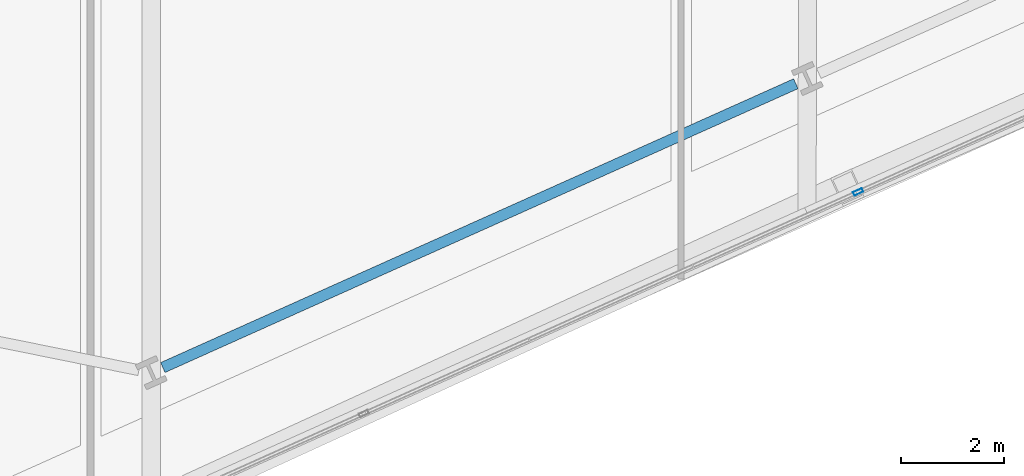
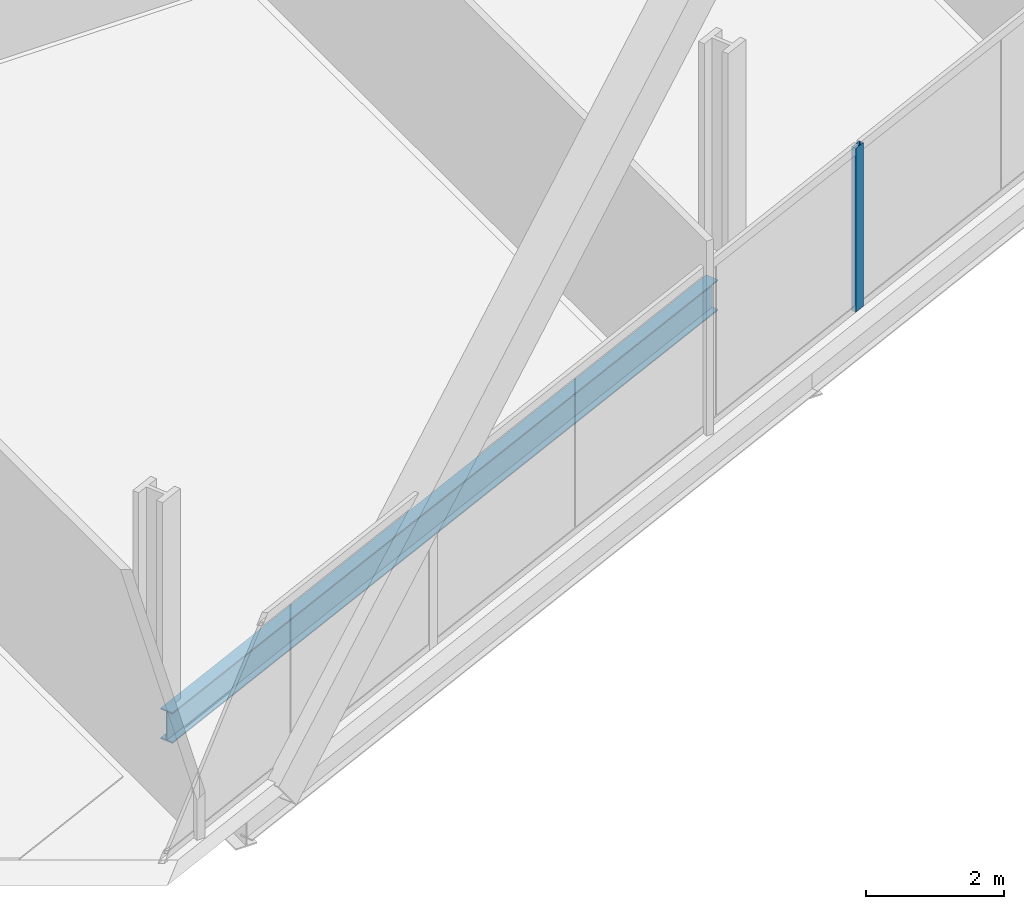
# One storey, part 8 of 38: 1 beam, 1 member, 1 element without a shape of its own.
"""IFC4 building model written with IfcOpenShell, lengths in metres."""

from ifc_helpers import new_model, si_unit, direction, frame, origin, origin_2d, place, context, subcontext, project, spatial, hollow_rectangle, i_section, extrude, material, material_profile, profile_set, type_object, element, aggregate, save


model = new_model("IFC4")

# Units and contexts
model_context = context("Model", 3, precision=1e-05, world=origin(), true_north=direction((0.0, 1.0)))
body_context = subcontext(model_context, "Body", "Model", "MODEL_VIEW")
ifc_project = project(units=[si_unit("LENGTHUNIT", "METRE"), si_unit("AREAUNIT", "SQUARE_METRE"), si_unit("VOLUMEUNIT", "CUBIC_METRE"), si_unit("PLANEANGLEUNIT", "RADIAN"), si_unit("MASSUNIT", "GRAM", prefix="KILO")], contexts=[model_context])

# Site, building, storey
site_placement = place(None, origin())
site = spatial("IfcSite", under=ifc_project, at=site_placement, CompositionType="ELEMENT")
building_placement = place(site_placement, origin())
building = spatial("IfcBuilding", under=site, at=building_placement, Name="Haldenkirk Collegiate Tower", CompositionType="ELEMENT")
storey_placement = place(building_placement, frame((0.0, 0.0, 109.199951171875)))
storey = spatial("IfcBuildingStorey", under=building, at=storey_placement, Name="L26", CompositionType="ELEMENT", Elevation=109.199951171875)

# Beam
ifc_material_1 = material(Name="Steel ASTM A992 Grade 50", Category="steel")
ifc_material_profile_1 = material_profile(ifc_material_1, i_section(OverallWidth=0.2119140625, OverallDepth=0.5439453125, WebThickness=0.01318359375, FlangeThickness=0.021240234375, at=origin_2d()), Name="W21X83")
ifc_profile_set_1 = profile_set([ifc_material_profile_1], Name="Steel ASTM A992 Grade 50")
beam_type = type_object("IfcBeamType", Name="BM-SPANDREL-W21X83", PredefinedType="SPANDREL", material=ifc_profile_set_1)
beam_placement = place(storey_placement, frame((32.405517578125, 0.3876953125, -0.572021484375), z_axis=(0.912476765144, 0.409128528793, 0.0), x_axis=(-0.409128528793, 0.912476765144, 0.0)))
element("IfcBeam", 1, at=beam_placement, inside=storey, type_object=beam_type, Name="L26 perimeter spandrel beam 02", PredefinedType="SPANDREL", context=body_context, shape_type="SweptSolid", body=[
    extrude(i_section(OverallWidth=0.2119140625, OverallDepth=0.5439453125, WebThickness=0.01318359375, FlangeThickness=0.021240234375, at=origin_2d()), origin(), (0.0, 0.0, 1.0), 13.512939453125),
])

# Curtain wall, member
ifc_material_2 = material(Name="Anodised architectural bronze aluminium", Category="aluminium")
curtain_wall_type = type_object("IfcCurtainWallType", Name="CW-SYS2-CONCAVE", PredefinedType="USERDEFINED", material=ifc_material_2)
curtain_wall_placement = place(storey_placement, origin())
curtain_wall = element("IfcCurtainWall", 2, at=curtain_wall_placement, inside=storey, type_object=curtain_wall_type, Name="L26 South concave recessed bronze-anodised curtain wall", ObjectType="UNITISED CURTAIN WALL", PredefinedType="USERDEFINED")
ifc_material_profile_2 = material_profile(ifc_material_2, hollow_rectangle(XDim=0.074951171875, YDim=0.18994140625, WallThickness=0.0048828125, at=origin_2d()), Name="CW-MUL-02")
ifc_profile_set_2 = profile_set([ifc_material_profile_2], Name="Anodised architectural bronze aluminium")
member_type = type_object("IfcMemberType", Name="CW-MUL-02", PredefinedType="MULLION", material=ifc_profile_set_2)
member_placement = place(storey_placement, frame((45.949951171875, 3.80859375, 0.0), z_axis=(0.0, 0.0, 1.0), x_axis=(0.409127344707, -0.912477296053, 0.0)))
member = element("IfcMember", 3, at=member_placement, type_object=member_type, Name="CW-02 mullion 3", PredefinedType="MULLION", context=body_context, shape_type="SweptSolid", body=[
    extrude(hollow_rectangle(XDim=0.074951171875, YDim=0.18994140625, WallThickness=0.0048828125, at=origin_2d()), origin(), (0.0, 0.0, 1.0), 2.901123046875),
])
aggregate(curtain_wall, [member])

save(model, "model.ifc")
